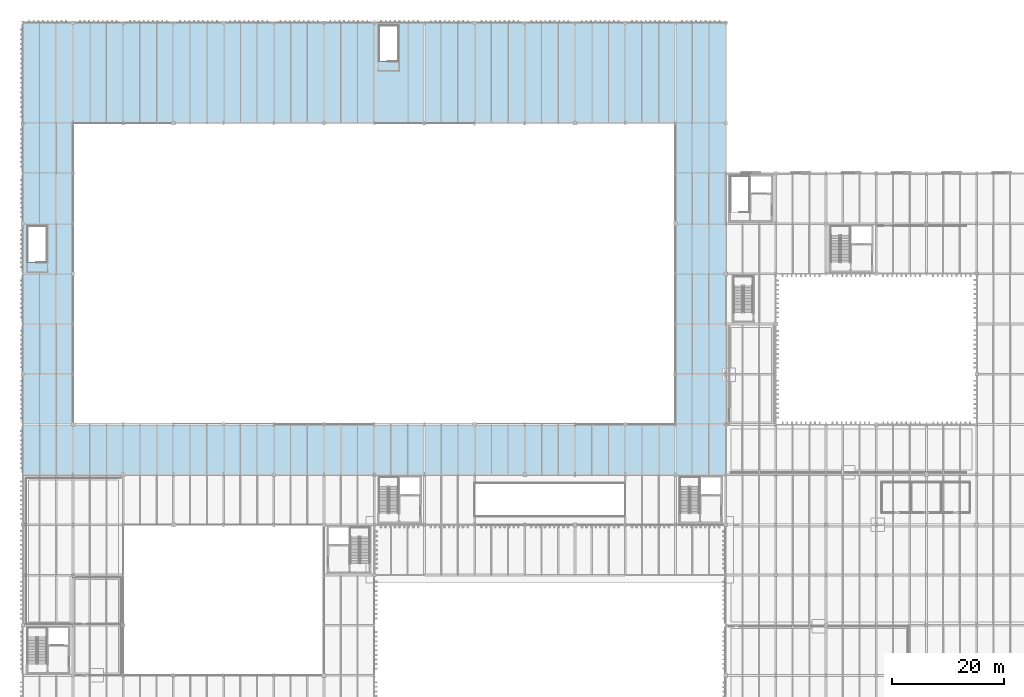
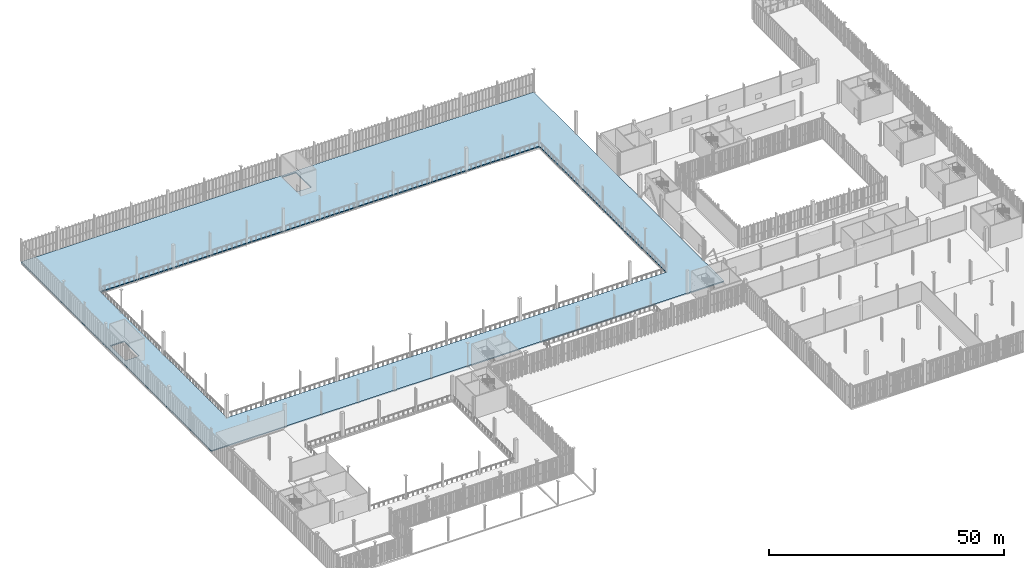
# One storey, part 158 of 211: 1 slab.
"""IFC4 building model written with IfcOpenShell, lengths in metres."""

from ifc_helpers import new_model, si_unit, direction, frame, origin, place, context, subcontext, project, spatial, polyline, outline, extrude, material, layer, layer_set, type_object, element, save


model = new_model("IFC4")

# Units and contexts
model_context = context("Model", 3, precision=1e-05, world=origin(), true_north=direction((0.0, 1.0)))
body_context = subcontext(model_context, "Body", "Model", "MODEL_VIEW")
ifc_project = project(units=[si_unit("LENGTHUNIT", "METRE"), si_unit("AREAUNIT", "SQUARE_METRE"), si_unit("VOLUMEUNIT", "CUBIC_METRE"), si_unit("PLANEANGLEUNIT", "RADIAN"), si_unit("MASSUNIT", "GRAM", prefix="KILO")], contexts=[model_context])

# Site, building, storey
site_placement = place(None, origin())
site = spatial("IfcSite", under=ifc_project, at=site_placement, CompositionType="ELEMENT")
building_placement = place(site_placement, origin())
building = spatial("IfcBuilding", under=site, at=building_placement, Name="Barlavento Convention Centre", CompositionType="ELEMENT")
storey_placement = place(building_placement, frame((0.0, 0.0, 6.0)))
storey = spatial("IfcBuildingStorey", under=building, at=storey_placement, Name="L01", CompositionType="ELEMENT", Elevation=6.0)

# Slab
ifc_material = material(Name="Concrete C40/50", Category="concrete")
ifc_layer = layer(ifc_material, 0.280029296875)
ifc_layer_set = layer_set([ifc_layer], Name="STR-SLB-FLR-280")
slab_type = type_object("IfcSlabType", Name="STR-SLB-FLR-280", PredefinedType="FLOOR", material=ifc_layer_set)
slab_placement = place(storey_placement, frame((0.0, 0.0, -0.280029296875)))
element("IfcSlab", 1, at=slab_placement, inside=storey, type_object=slab_type, Name="L01 structural slab FS-104", PredefinedType="FLOOR", context=body_context, shape_type="SweptSolid", body=[
    extrude(outline(polyline([(0.0, 54.0), (126.0, 54.0), (126.0, 135.0), (0.0, 135.0), (0.0, 54.0)]), holes=[polyline([(9.0, 63.0), (117.0, 63.0), (117.0, 117.0), (9.0, 117.0), (9.0, 63.0)]), polyline([(4.2900390625, 92.114990234375), (4.2900390625, 98.530029296875), (0.85009765625, 98.530029296875), (0.85009765625, 92.114990234375), (4.2900390625, 92.114990234375)]), polyline([(67.2900390625, 128.114990234375), (67.2900390625, 134.530029296875), (63.85009765625, 134.530029296875), (63.85009765625, 128.114990234375), (67.2900390625, 128.114990234375)])]), origin(), (0.0, 0.0, 1.0), 0.280029296875),
])

save(model, "model.ifc")
